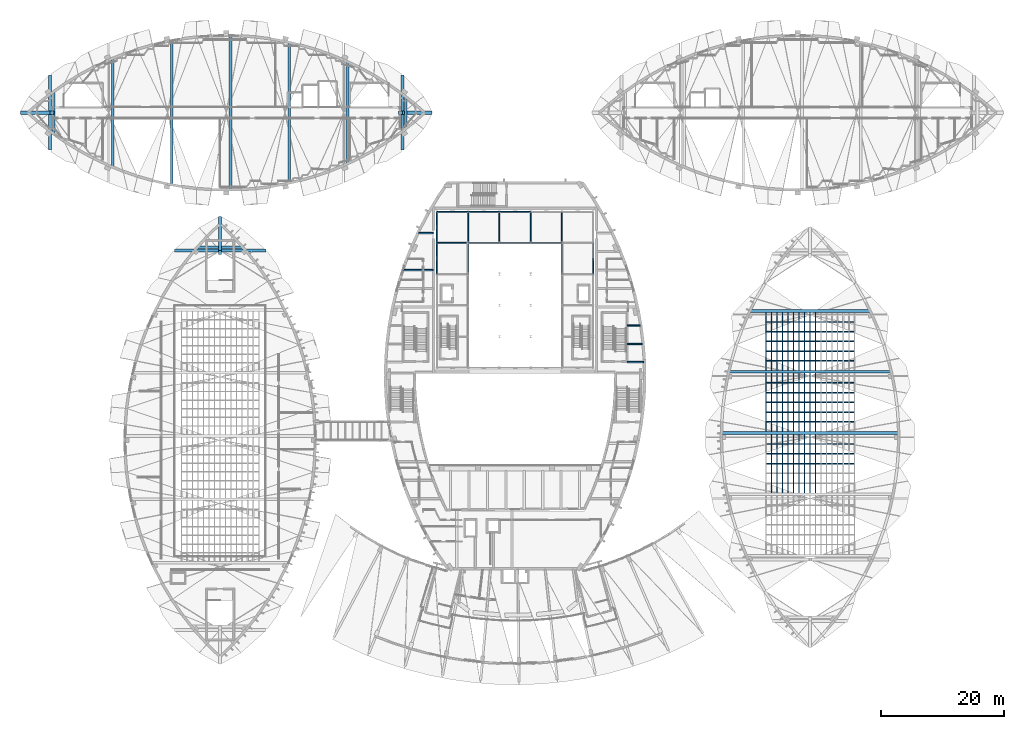
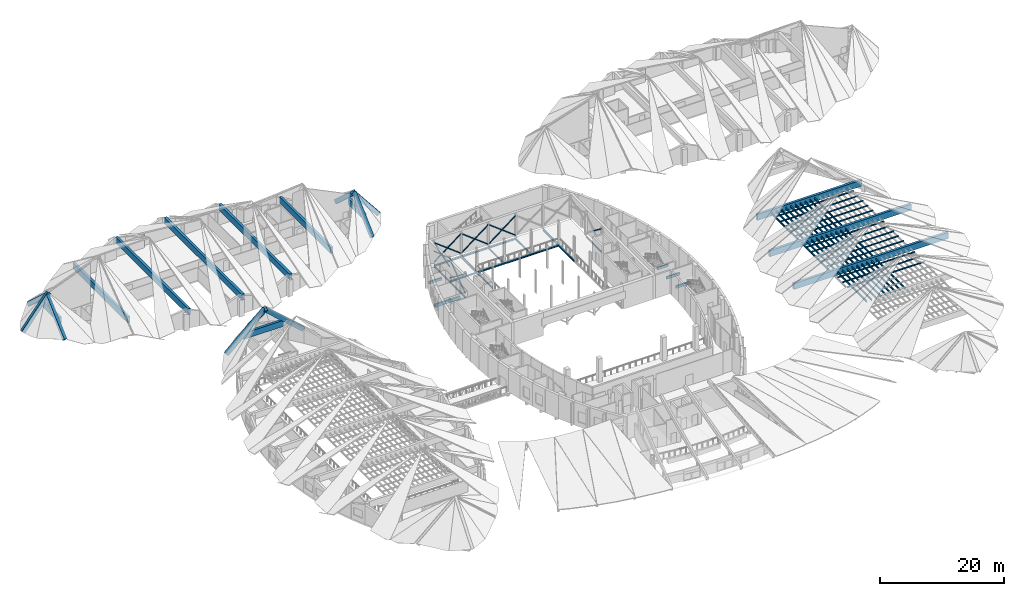
# One storey, part 19 of 56: 83 beams, 16 members.
"""IFC4 building model written with IfcOpenShell, lengths in metres."""

import ifcopenshell
import ifcopenshell.guid

model = None  # the IFC model being written
_history = None  # IfcOwnerHistory: only IFC2X3 demands one
_inside = {}  # id of a spatial element -> (the spatial element, [elements in it])
_under = {}  # id of a project, library or spatial element -> (it, [spatial elements below it])
_declared = {}  # id of a project -> (the project, [libraries it declares])
_typed = {}  # id of a type object -> (the type object, [elements of that type])
_made_of = {}  # id of a material, layer set ... -> (it, [elements and type objects made of it])


def new_model(schema):
    """Start an empty IFC model of exactly this schema.

    Asked for "IFC4X3", IfcOpenShell would pick the latest addendum, in which some entities
    have other attributes; the version numbers below select the first issue.
    IFC2X3 requires an IfcOwnerHistory on every rooted entity: one is made here for all.
    """
    global model, _history
    if schema == "IFC4X3":
        model = ifcopenshell.file(schema_version=(4, 3, 0, 0))
    else:
        model = ifcopenshell.file(schema=schema)
    _inside.clear()
    _under.clear()
    _declared.clear()
    _typed.clear()
    _made_of.clear()
    _history = None
    if model.schema == "IFC2X3":
        org = make("IfcOrganization", Name="unknown")
        user = make(
            "IfcPersonAndOrganization",
            ThePerson=make("IfcPerson", FamilyName="unknown"),
            TheOrganization=org,
        )
        app = make(
            "IfcApplication",
            ApplicationDeveloper=org,
            Version="unknown",
            ApplicationFullName="unknown",
            ApplicationIdentifier="unknown",
        )
        _history = make(
            "IfcOwnerHistory",
            OwningUser=user,
            OwningApplication=app,
            ChangeAction="ADDED",
            CreationDate=0,
        )
    return model


def make(cls, **values):
    """One entity of the class cls with the attributes given. An attribute that is None is left unset."""
    return model.create_entity(
        cls, **{name: value for name, value in values.items() if value is not None}
    )


def rooted(cls, **values):
    """An entity with a GlobalId (a new one), such as an element, a storey or a relation."""
    return make(cls, GlobalId=ifcopenshell.guid.new(), OwnerHistory=_history, **values)


def si_unit(unit_type, name, prefix=None):
    """IfcSIUnit, for example si_unit("LENGTHUNIT", "METRE", prefix="MILLI")."""
    return make("IfcSIUnit", UnitType=unit_type, Prefix=prefix, Name=name)


def assignment(units):
    """IfcUnitAssignment: the units of a project."""
    return None if units is None else make("IfcUnitAssignment", Units=units)


def point(xyz):
    """IfcCartesianPoint."""
    return None if xyz is None else make("IfcCartesianPoint", Coordinates=xyz)


def direction(xyz):
    """IfcDirection."""
    return None if xyz is None else make("IfcDirection", DirectionRatios=xyz)


def frame(location, z_axis=None, x_axis=None):
    """IfcAxis2Placement3D, a coordinate frame: its origin and axes. An axis left out is left unset."""
    return make(
        "IfcAxis2Placement3D",
        Location=point(location),
        Axis=direction(z_axis),
        RefDirection=direction(x_axis),
    )


def frame_2d(location, x_axis=None):
    """IfcAxis2Placement2D, a coordinate frame in the plane: its origin and x axis."""
    return make(
        "IfcAxis2Placement2D", Location=point(location), RefDirection=direction(x_axis)
    )


def origin():
    """The frame at (0, 0, 0) with its axes left unset."""
    return frame((0.0, 0.0, 0.0))


def origin_2d():
    """The frame at (0, 0) in the plane with its x axis left unset."""
    return frame_2d((0.0, 0.0))


def place(relative_to, where):
    """IfcLocalPlacement: puts the frame where relative to a parent placement (None: the world)."""
    return make(
        "IfcLocalPlacement", PlacementRelTo=relative_to, RelativePlacement=where
    )


def context(
    kind, dimensions, precision=None, world=None, true_north=None, identifier=None
):
    """IfcGeometricRepresentationContext, for example the 3D "Model" context."""
    return make(
        "IfcGeometricRepresentationContext",
        ContextIdentifier=identifier,
        ContextType=kind,
        CoordinateSpaceDimension=dimensions,
        Precision=precision,
        WorldCoordinateSystem=world,
        TrueNorth=true_north,
    )


def subcontext(parent, identifier, kind, view, scale=None):
    """IfcGeometricRepresentationSubContext, for example "Body" below "Model"."""
    return make(
        "IfcGeometricRepresentationSubContext",
        ContextIdentifier=identifier,
        ContextType=kind,
        ParentContext=parent,
        TargetScale=scale,
        TargetView=view,
    )


def project(units=None, contexts=None):
    """IfcProject with its units and contexts."""
    return rooted(
        "IfcProject",
        Name="project",
        RepresentationContexts=contexts,
        UnitsInContext=assignment(units),
    )


def spatial(cls, under=None, at=None, **own):
    """A site, building, storey or space (cls), placed at a placement, below another one or the project."""
    s = rooted(cls, ObjectPlacement=at, **own)
    if under is not None:
        _under.setdefault(under.id(), (under, []))[1].append(s)
    return s


def profile(cls, at=None, kind="AREA", **sizes):
    """A parametric profile (cls). Its sizes go by their IFC names, for example OverallWidth=200.0."""
    return make(cls, ProfileType=kind, Position=at, **sizes)


def rectangle(**sizes):
    """IfcRectangleProfileDef."""
    return profile("IfcRectangleProfileDef", **sizes)


def hollow_circle(**sizes):
    """IfcCircleHollowProfileDef."""
    return profile("IfcCircleHollowProfileDef", **sizes)


def i_section(**sizes):
    """IfcIShapeProfileDef."""
    return profile("IfcIShapeProfileDef", **sizes)


def extrude(swept, where, along, depth):
    """IfcExtrudedAreaSolid: the profile swept, set in the frame where, extruded along a direction by depth."""
    return make(
        "IfcExtrudedAreaSolid",
        SweptArea=swept,
        Position=where,
        ExtrudedDirection=direction(along),
        Depth=depth,
    )


def shape(context_of_items, identifier, shape_type, items):
    """IfcShapeRepresentation: the items that make up one representation, for example the "Body"."""
    return make(
        "IfcShapeRepresentation",
        ContextOfItems=context_of_items,
        RepresentationIdentifier=identifier,
        RepresentationType=shape_type,
        Items=items,
    )


def material(Name=None, Category=None):
    """IfcMaterial."""
    return make("IfcMaterial", Name=Name, Category=Category)


def material_profile(
    of_material, cross_section, Name=None, Category=None, Priority=None
):
    """IfcMaterialProfile: a cross section and its material."""
    return make(
        "IfcMaterialProfile",
        Name=Name,
        Material=of_material,
        Profile=cross_section,
        Priority=Priority,
        Category=Category,
    )


def profile_set(profiles, Name=None, composite=None):
    """IfcMaterialProfileSet."""
    return make(
        "IfcMaterialProfileSet",
        Name=Name,
        MaterialProfiles=profiles,
        CompositeProfile=composite,
    )


def made_of(thing, what):
    """Note that an element or type object is made of a material, layer set ...; save() writes the relation."""
    if what is not None:
        _made_of.setdefault(what.id(), (what, []))[1].append(thing)
    return thing


def type_object(cls, material=None, **own):
    """A type object (cls), such as IfcWallType, which elements share."""
    return made_of(rooted(cls, **own), material)


def element(
    cls,
    number,
    at=None,
    inside=None,
    cuts=None,
    type_object=None,
    material=None,
    context=None,
    identifier="Body",
    shape_type=None,
    held_by="IfcProductDefinitionShape",
    body=None,
    shapes=None,
    **own,
):
    """One element of the class cls, such as IfcWall. Its Tag is "e" and its number.

    at: its placement. inside: the storey or other place that contains it. cuts: it is an
    opening in that element (IfcRelVoidsElement). A single representation is given by context,
    identifier, shape_type and body (its items); several are given by shapes. held_by: the class
    of the entity that holds the representations. save() writes the other relations.
    """
    e = rooted(cls, Tag="e%d" % number, ObjectPlacement=at, **own)
    if body is not None:
        shapes = [shape(context, identifier, shape_type, body)]
    if shapes is not None:
        e.Representation = make(held_by, Representations=shapes)
    if inside is not None:
        _inside.setdefault(inside.id(), (inside, []))[1].append(e)
    if cuts is not None:
        rooted(
            "IfcRelVoidsElement", RelatingBuildingElement=cuts, RelatedOpeningElement=e
        )
    if type_object is not None:
        _typed.setdefault(type_object.id(), (type_object, []))[1].append(e)
    return made_of(e, material)


def aggregate(whole, parts):
    """IfcRelAggregates: a whole, such as a stair, and the parts it consists of."""
    return rooted("IfcRelAggregates", RelatingObject=whole, RelatedObjects=parts)


def save(model, path):
    """Write the relations noted so far, then the file.

    IfcRelAggregates (storeys below a building ...), IfcRelContainedInSpatialStructure (elements
    in a storey), IfcRelDefinesByType, IfcRelAssociatesMaterial and IfcRelDeclares: one each for
    every whole, place, type object, material and project.
    """
    for whole, parts in _under.values():
        aggregate(whole, parts)
    for where, things in _inside.values():
        rooted(
            "IfcRelContainedInSpatialStructure",
            RelatedElements=things,
            RelatingStructure=where,
        )
    for kind, things in _typed.values():
        rooted("IfcRelDefinesByType", RelatedObjects=things, RelatingType=kind)
    for what, things in _made_of.values():
        rooted("IfcRelAssociatesMaterial", RelatedObjects=things, RelatingMaterial=what)
    for by, libraries in _declared.values():
        rooted("IfcRelDeclares", RelatingContext=by, RelatedDefinitions=libraries)
    model.write(path)


model = new_model("IFC4")

# Units and contexts
model_context = context("Model", 3, precision=1e-05, world=origin(), true_north=direction((0.0, 1.0)))
body_context = subcontext(model_context, "Body", "Model", "MODEL_VIEW")
ifc_project = project(units=[si_unit("LENGTHUNIT", "METRE"), si_unit("AREAUNIT", "SQUARE_METRE"), si_unit("VOLUMEUNIT", "CUBIC_METRE"), si_unit("PLANEANGLEUNIT", "RADIAN"), si_unit("MASSUNIT", "GRAM", prefix="KILO")], contexts=[model_context])

# Site, building, storey
site_placement = place(None, origin())
site = spatial("IfcSite", under=ifc_project, at=site_placement, CompositionType="ELEMENT")
building_placement = place(site_placement, origin())
building = spatial("IfcBuilding", under=site, at=building_placement, Name="Tide Square Theatres", CompositionType="ELEMENT")
storey_placement = place(building_placement, frame((0.0, 0.0, 10.199951171875)))
storey = spatial("IfcBuildingStorey", under=building, at=storey_placement, Name="L02", CompositionType="ELEMENT", Elevation=10.199951171875)

# Beams
ifc_material_1 = material(Name="Concrete C35", Category="concrete")
ifc_material_profile_1 = material_profile(ifc_material_1, rectangle(XDim=0.25, YDim=0.5, at=origin_2d()))
ifc_profile_set_1 = profile_set([ifc_material_profile_1], Name="Concrete C35")
beam_type_1 = type_object("IfcBeamType", Name="RC beam 250 x 500", PredefinedType="BEAM", material=ifc_profile_set_1)
beam_1_placement = place(storey_placement, frame((68.314697265625, 78.199951171875, -0.5), z_axis=(1.0, 0.0, 0.0), x_axis=(0.0, 1.0, 0.0)))
element("IfcBeam", 1, at=beam_1_placement, inside=storey, type_object=beam_type_1, Name="Floor beam", PredefinedType="BEAM", context=body_context, shape_type="SweptSolid", body=[
    extrude(rectangle(XDim=0.25, YDim=0.5, at=origin_2d()), origin(), (0.0, 0.0, 1.0), 2.335205078125),
])
beam_2_placement = place(storey_placement, frame((102.25, 57.199951171875, -0.5), z_axis=(1.0, 0.0, 0.0), x_axis=(0.0, 1.0, 0.0)))
element("IfcBeam", 2, at=beam_2_placement, inside=storey, type_object=beam_type_1, Name="Floor beam", PredefinedType="BEAM", context=body_context, shape_type="SweptSolid", body=[
    extrude(rectangle(XDim=0.25, YDim=0.5, at=origin_2d()), origin(), (0.0, 0.0, 1.0), 2.680908203125),
])
beam_3_placement = place(storey_placement, frame((102.25, 60.199951171875, -0.5), z_axis=(1.0, 0.0, 0.0), x_axis=(0.0, 1.0, 0.0)))
element("IfcBeam", 3, at=beam_3_placement, inside=storey, type_object=beam_type_1, Name="Floor beam", PredefinedType="BEAM", context=body_context, shape_type="SweptSolid", body=[
    extrude(rectangle(XDim=0.25, YDim=0.5, at=origin_2d()), origin(), (0.0, 0.0, 1.0), 2.48046875),
])
beam_4_placement = place(storey_placement, frame((102.25, 63.199951171875, -0.5), z_axis=(1.0, 0.0, 0.0), x_axis=(0.0, 1.0, 0.0)))
element("IfcBeam", 4, at=beam_4_placement, inside=storey, type_object=beam_type_1, Name="Floor beam", PredefinedType="BEAM", context=body_context, shape_type="SweptSolid", body=[
    extrude(rectangle(XDim=0.25, YDim=0.5, at=origin_2d()), origin(), (0.0, 0.0, 1.0), 2.095947265625),
])
ifc_material_2 = material(Name="Concrete C35", Category="concrete")
ifc_material_profile_2 = material_profile(ifc_material_2, rectangle(XDim=0.300048828125, YDim=0.60009765625, at=origin_2d()))
ifc_profile_set_2 = profile_set([ifc_material_profile_2], Name="Concrete C35")
beam_type_2 = type_object("IfcBeamType", Name="RC beam 300 x 600", PredefinedType="BEAM", material=ifc_profile_set_2)
beam_5_placement = place(storey_placement, frame((65.870849609375, 72.199951171875, -0.550048828125), z_axis=(1.0, 0.0, 0.0), x_axis=(0.0, 1.0, 0.0)))
element("IfcBeam", 5, at=beam_5_placement, inside=storey, type_object=beam_type_2, Name="Floor beam", PredefinedType="BEAM", context=body_context, shape_type="SweptSolid", body=[
    extrude(rectangle(XDim=0.300048828125, YDim=0.60009765625, at=origin_2d()), origin(), (0.0, 0.0, 1.0), 4.779052734375),
])
ifc_material_3 = material(Name="Concrete C40", Category="concrete")
ifc_material_profile_3 = material_profile(ifc_material_3, rectangle(XDim=0.449951171875, YDim=1.199951171875, at=origin_2d()))
ifc_profile_set_3 = profile_set([ifc_material_profile_3], Name="Concrete C40")
beam_type_3 = type_object("IfcBeamType", Name="RC eaves tie beam 450 x 1200", PredefinedType="BEAM", material=ifc_profile_set_3)
beam_6_placement = place(storey_placement, frame((39.7177734375, 75.89013671875, 3.03857421875), z_axis=(-1.0, 0.0, 0.0), x_axis=(0.0, -1.0, 0.0)))
element("IfcBeam", 6, at=beam_6_placement, inside=storey, type_object=beam_type_3, Name="Eaves tie beam studio 6", PredefinedType="BEAM", context=body_context, shape_type="SweptSolid", body=[
    extrude(rectangle(XDim=0.449951171875, YDim=1.199951171875, at=origin_2d()), origin(), (0.0, 0.0, 1.0), 7.435546875),
])
beam_7_placement = place(storey_placement, frame((146.40869140625, 45.69970703125, 1.314453125), z_axis=(-1.0, 0.0, 0.0), x_axis=(0.0, -1.0, 0.0)))
element("IfcBeam", 7, at=beam_7_placement, inside=storey, type_object=beam_type_3, Name="Eaves tie beam blackbox 3", PredefinedType="BEAM", context=body_context, shape_type="SweptSolid", body=[
    extrude(rectangle(XDim=0.449951171875, YDim=1.199951171875, at=origin_2d()), origin(), (0.0, 0.0, 1.0), 28.8173828125),
])
beam_8_placement = place(storey_placement, frame((145.213623046875, 55.638671875, 1.312744140625), z_axis=(-1.0, 0.0, 0.0), x_axis=(0.0, -1.0, 0.0)))
element("IfcBeam", 8, at=beam_8_placement, inside=storey, type_object=beam_type_3, Name="Eaves tie beam blackbox 4", PredefinedType="BEAM", context=body_context, shape_type="SweptSolid", body=[
    extrude(rectangle(XDim=0.449951171875, YDim=1.199951171875, at=origin_2d()), origin(), (0.0, 0.0, 1.0), 26.42724609375),
])
beam_9_placement = place(storey_placement, frame((141.769287109375, 65.54345703125, 1.296630859375), z_axis=(-1.0, 0.0, 0.0), x_axis=(0.0, -1.0, 0.0)))
element("IfcBeam", 9, at=beam_9_placement, inside=storey, type_object=beam_type_3, Name="Eaves tie beam blackbox 5", PredefinedType="BEAM", context=body_context, shape_type="SweptSolid", body=[
    extrude(rectangle(XDim=0.449951171875, YDim=1.199951171875, at=origin_2d()), origin(), (0.0, 0.0, 1.0), 19.53857421875),
])
beam_10_placement = place(storey_placement, frame((8.8916015625, 94.387939453125, 3.09814453125), z_axis=(0.0, 1.0, 0.0), x_axis=(-1.0, 0.0, 0.0)))
element("IfcBeam", 10, at=beam_10_placement, inside=storey, type_object=beam_type_3, Name="Eaves tie beam workshops 0", PredefinedType="BEAM", context=body_context, shape_type="SweptSolid", body=[
    extrude(rectangle(XDim=0.449951171875, YDim=1.199951171875, at=origin_2d()), origin(), (0.0, 0.0, 1.0), 6.82421875),
])
beam_11_placement = place(storey_placement, frame((18.529052734375, 88.958740234375, 3.0986328125), z_axis=(0.0, 1.0, 0.0), x_axis=(-1.0, 0.0, 0.0)))
element("IfcBeam", 11, at=beam_11_placement, inside=storey, type_object=beam_type_3, Name="Eaves tie beam workshops 1", PredefinedType="BEAM", context=body_context, shape_type="SweptSolid", body=[
    extrude(rectangle(XDim=0.449951171875, YDim=1.199951171875, at=origin_2d()), origin(), (0.0, 0.0, 1.0), 17.6826171875),
])
beam_12_placement = place(storey_placement, frame((28.12939453125, 86.07421875, 3.1005859375), z_axis=(0.0, 1.0, 0.0), x_axis=(-1.0, 0.0, 0.0)))
element("IfcBeam", 12, at=beam_12_placement, inside=storey, type_object=beam_type_3, Name="Eaves tie beam workshops 2", PredefinedType="BEAM", context=body_context, shape_type="SweptSolid", body=[
    extrude(rectangle(XDim=0.449951171875, YDim=1.199951171875, at=origin_2d()), origin(), (0.0, 0.0, 1.0), 23.451416015625),
])
beam_13_placement = place(storey_placement, frame((37.69970703125, 85.248779296875, 3.096435546875), z_axis=(0.0, 1.0, 0.0), x_axis=(-1.0, 0.0, 0.0)))
element("IfcBeam", 13, at=beam_13_placement, inside=storey, type_object=beam_type_3, Name="Eaves tie beam workshops 3", PredefinedType="BEAM", context=body_context, shape_type="SweptSolid", body=[
    extrude(rectangle(XDim=0.449951171875, YDim=1.199951171875, at=origin_2d()), origin(), (0.0, 0.0, 1.0), 25.102294921875),
])
beam_14_placement = place(storey_placement, frame((47.24169921875, 86.35498046875, 3.091552734375), z_axis=(0.0, 1.0, 0.0), x_axis=(-1.0, 0.0, 0.0)))
element("IfcBeam", 14, at=beam_14_placement, inside=storey, type_object=beam_type_3, Name="Eaves tie beam workshops 4", PredefinedType="BEAM", context=body_context, shape_type="SweptSolid", body=[
    extrude(rectangle(XDim=0.449951171875, YDim=1.199951171875, at=origin_2d()), origin(), (0.0, 0.0, 1.0), 22.89013671875),
])
beam_15_placement = place(storey_placement, frame((56.7529296875, 89.520263671875, 3.067626953125), z_axis=(0.0, 1.0, 0.0), x_axis=(-1.0, 0.0, 0.0)))
element("IfcBeam", 15, at=beam_15_placement, inside=storey, type_object=beam_type_3, Name="Eaves tie beam workshops 5", PredefinedType="BEAM", context=body_context, shape_type="SweptSolid", body=[
    extrude(rectangle(XDim=0.449951171875, YDim=1.199951171875, at=origin_2d()), origin(), (0.0, 0.0, 1.0), 16.559326171875),
])
beam_16_placement = place(storey_placement, frame((66.229248046875, 95.225830078125, 2.98486328125), z_axis=(0.0, 1.0, 0.0), x_axis=(-1.0, 0.0, 0.0)))
element("IfcBeam", 16, at=beam_16_placement, inside=storey, type_object=beam_type_3, Name="Eaves tie beam workshops 6", PredefinedType="BEAM", context=body_context, shape_type="SweptSolid", body=[
    extrude(rectangle(XDim=0.449951171875, YDim=1.199951171875, at=origin_2d()), origin(), (0.0, 0.0, 1.0), 5.1484375),
])
ifc_material_4 = material(Name="Concrete C40", Category="concrete")
ifc_material_profile_4 = material_profile(ifc_material_4, rectangle(XDim=0.5, YDim=0.800048828125, at=origin_2d()))
ifc_profile_set_4 = profile_set([ifc_material_profile_4], Name="Concrete C40")
beam_type_4 = type_object("IfcBeamType", Name="RC roof rib 500 x 800", PredefinedType="BEAM", material=ifc_profile_set_4)
for number, where, z_axis, x_axis, name in (
    (17, (43.177001953125, 75.37060546875, 0.948974609375), (-0.746077299514, 0.0, 0.665859341866), (0.0, -1.0, 0.0), "Roof rib studio R6"),
    (18, (28.822998046875, 75.37060546875, 0.948974609375), (0.746077299514, 0.0, 0.665859341866), (0.0, 1.0, 0.0), "Roof rib studio L6"),
):
    element("IfcBeam", number, at=place(storey_placement, frame(where, z_axis=z_axis, x_axis=x_axis)), inside=storey, type_object=beam_type_4, Name=name, PredefinedType="BEAM", context=body_context, shape_type="SweptSolid", body=[
        extrude(rectangle(XDim=0.5, YDim=0.800048828125, at=origin_2d()), origin(), (0.0, 0.0, 1.0), 9.708740234375),
    ])
for number, where, z_axis, x_axis, name in (
    (19, (8.31982421875, 91.964599609375, 0.92333984375), (0.0, 0.739686764471, 0.672951328453), (-1.0, 0.0, 0.0), "Roof rib workshops R0"),
    (20, (65.68017578125, 91.964599609375, 1.0537109375), (0.0, 0.739701988752, 0.672934594026), (-1.0, 0.0, 0.0), "Roof rib workshops R6"),
):
    element("IfcBeam", number, at=place(storey_placement, frame(where, z_axis=z_axis, x_axis=x_axis)), inside=storey, type_object=beam_type_4, Name=name, PredefinedType="BEAM", context=body_context, shape_type="SweptSolid", body=[
        extrude(rectangle(XDim=0.5, YDim=0.800048828125, at=origin_2d()), origin(), (0.0, 0.0, 1.0), 7.982421875),
    ])
beam_17_placement = place(storey_placement, frame((8.31982421875, 103.635498046875, 0.92333984375), z_axis=(0.0, -0.739700614616, 0.672936104498), x_axis=(1.0, 0.0, 0.0)))
element("IfcBeam", 21, at=beam_17_placement, inside=storey, type_object=beam_type_4, Name="Roof rib workshops L0", PredefinedType="BEAM", context=body_context, shape_type="SweptSolid", body=[
    extrude(rectangle(XDim=0.5, YDim=0.800048828125, at=origin_2d()), origin(), (0.0, 0.0, 1.0), 7.982666015625),
])
beam_18_placement = place(storey_placement, frame((65.68017578125, 103.635498046875, 1.0537109375), z_axis=(0.0, -0.739715838493, 0.672919369823), x_axis=(1.0, 0.0, 0.0)))
element("IfcBeam", 22, at=beam_18_placement, inside=storey, type_object=beam_type_4, Name="Roof rib workshops L6", PredefinedType="BEAM", context=body_context, shape_type="SweptSolid", body=[
    extrude(rectangle(XDim=0.5, YDim=0.800048828125, at=origin_2d()), origin(), (0.0, 0.0, 1.0), 7.982421875),
])
ifc_material_5 = material(Name="Concrete C40", Category="concrete")
ifc_material_profile_5 = material_profile(ifc_material_5, rectangle(XDim=0.5, YDim=0.800048828125, at=origin_2d()))
ifc_profile_set_5 = profile_set([ifc_material_profile_5], Name="Concrete C40")
beam_type_5 = type_object("IfcBeamType", Name="RC roof ridge beam 500 x 800", PredefinedType="BEAM", material=ifc_profile_set_5)
beam_19_placement = place(storey_placement, frame((36.0, 75.05615234375, 7.6142578125), z_axis=(0.0, 0.617814351068, -0.786323996591), x_axis=(-1.0, 0.0, 0.0)))
element("IfcBeam", 23, at=beam_19_placement, inside=storey, type_object=beam_type_5, Name="Hip beam studio", PredefinedType="BEAM", context=body_context, shape_type="SweptSolid", body=[
    extrude(rectangle(XDim=0.5, YDim=0.800048828125, at=origin_2d()), origin(), (0.0, 0.0, 1.0), 8.984130859375),
])
for number, where, z_axis, x_axis, name in (
    (24, (8.632568359375, 97.800048828125, 6.609375), (-0.623341681974, 0.0, -0.781949581184), (0.0, -1.0, 0.0), "Hip beam workshops"),
    (25, (65.367431640625, 97.800048828125, 6.609375), (0.623341681974, 0.0, -0.781949581184), (0.0, 1.0, 0.0), "Hip beam workshops"),
):
    element("IfcBeam", number, at=place(storey_placement, frame(where, z_axis=z_axis, x_axis=x_axis)), inside=storey, type_object=beam_type_5, Name=name, PredefinedType="BEAM", context=body_context, shape_type="SweptSolid", body=[
        extrude(rectangle(XDim=0.5, YDim=0.800048828125, at=origin_2d()), origin(), (0.0, 0.0, 1.0), 7.72705078125),
    ])
ifc_material_6 = material(Name="Steel ASTM A572 Grade 50", Category="steel")
ifc_material_profile_6 = material_profile(ifc_material_6, i_section(OverallWidth=0.1650390625, OverallDepth=0.31005859375, WebThickness=0.005859375, FlangeThickness=0.009765625, FilletRadius=0.010009765625, at=origin_2d()))
ifc_profile_set_6 = profile_set([ifc_material_profile_6], Name="Steel ASTM A572 Grade 50")
beam_type_6 = type_object("IfcBeamType", Name="Steel beam W 310 x 38.7", PredefinedType="BEAM", material=ifc_profile_set_6)
for number, where, z_axis, x_axis, name in (
    (26, (71.27587890625, 71.544921875, -0.35498046875), (0.0, 1.0, 0.0), (-1.0, 0.0, 0.0), "Fly gallery beam"),
    (27, (71.27587890625, 76.634521484375, -0.35498046875), (0.0, 1.0, 0.0), (-1.0, 0.0, 0.0), "Fly gallery beam"),
    (28, (76.365478515625, 71.544921875, -0.35498046875), (0.0, 1.0, 0.0), (-1.0, 0.0, 0.0), "Fly gallery beam"),
    (29, (76.365478515625, 76.634521484375, -0.35498046875), (0.0, 1.0, 0.0), (-1.0, 0.0, 0.0), "Fly gallery beam"),
    (30, (71.27587890625, 76.634521484375, -0.35498046875), (1.0, 0.0, 0.0), (0.0, 1.0, 0.0), "Fly gallery cross beam"),
    (31, (71.27587890625, 81.72412109375, -0.35498046875), (1.0, 0.0, 0.0), (0.0, 1.0, 0.0), "Fly gallery cross beam"),
    (32, (91.634521484375, 71.544921875, -0.35498046875), (0.0, 1.0, 0.0), (-1.0, 0.0, 0.0), "Fly gallery beam"),
    (33, (91.634521484375, 76.634521484375, -0.35498046875), (0.0, 1.0, 0.0), (-1.0, 0.0, 0.0), "Fly gallery beam"),
    (34, (96.72412109375, 71.544921875, -0.35498046875), (0.0, 1.0, 0.0), (-1.0, 0.0, 0.0), "Fly gallery beam"),
    (35, (76.365478515625, 76.634521484375, -0.35498046875), (1.0, 0.0, 0.0), (0.0, 1.0, 0.0), "Fly gallery beam"),
):
    element("IfcBeam", number, at=place(storey_placement, frame(where, z_axis=z_axis, x_axis=x_axis)), inside=storey, type_object=beam_type_6, Name=name, PredefinedType="BEAM", context=body_context, shape_type="SweptSolid", body=[
        extrude(i_section(OverallWidth=0.1650390625, OverallDepth=0.31005859375, WebThickness=0.005859375, FlangeThickness=0.009765625, FilletRadius=0.010009765625, at=origin_2d()), origin(), (0.0, 0.0, 1.0), 5.089599609375),
    ])
beam_20_placement = place(storey_placement, frame((81.455078125, 76.634521484375, -0.35498046875), z_axis=(1.0, 0.0, 0.0), x_axis=(0.0, 1.0, 0.0)))
element("IfcBeam", 36, at=beam_20_placement, inside=storey, type_object=beam_type_6, Name="Fly gallery beam", PredefinedType="BEAM", context=body_context, shape_type="SweptSolid", body=[
    extrude(i_section(OverallWidth=0.1650390625, OverallDepth=0.31005859375, WebThickness=0.005859375, FlangeThickness=0.009765625, FilletRadius=0.010009765625, at=origin_2d()), origin(), (0.0, 0.0, 1.0), 5.08984375),
])
for number, where, z_axis, x_axis, name in (
    (37, (86.544921875, 76.634521484375, -0.35498046875), (1.0, 0.0, 0.0), (0.0, 1.0, 0.0), "Fly gallery beam"),
    (38, (76.365478515625, 81.72412109375, -0.35498046875), (1.0, 0.0, 0.0), (0.0, 1.0, 0.0), "Fly gallery beam"),
):
    element("IfcBeam", number, at=place(storey_placement, frame(where, z_axis=z_axis, x_axis=x_axis)), inside=storey, type_object=beam_type_6, Name=name, PredefinedType="BEAM", context=body_context, shape_type="SweptSolid", body=[
        extrude(i_section(OverallWidth=0.1650390625, OverallDepth=0.31005859375, WebThickness=0.005859375, FlangeThickness=0.009765625, FilletRadius=0.010009765625, at=origin_2d()), origin(), (0.0, 0.0, 1.0), 5.089599609375),
    ])
beam_21_placement = place(storey_placement, frame((81.455078125, 81.72412109375, -0.35498046875), z_axis=(1.0, 0.0, 0.0), x_axis=(0.0, 1.0, 0.0)))
element("IfcBeam", 39, at=beam_21_placement, inside=storey, type_object=beam_type_6, Name="Fly gallery beam", PredefinedType="BEAM", context=body_context, shape_type="SweptSolid", body=[
    extrude(i_section(OverallWidth=0.1650390625, OverallDepth=0.31005859375, WebThickness=0.005859375, FlangeThickness=0.009765625, FilletRadius=0.010009765625, at=origin_2d()), origin(), (0.0, 0.0, 1.0), 5.08984375),
])
for number, where, z_axis, x_axis, name in (
    (40, (81.455078125, 76.634521484375, -0.35498046875), (0.0, 1.0, 0.0), (-1.0, 0.0, 0.0), "Fly gallery cross beam"),
    (41, (86.544921875, 76.634521484375, -0.35498046875), (0.0, 1.0, 0.0), (-1.0, 0.0, 0.0), "Fly gallery cross beam"),
):
    element("IfcBeam", number, at=place(storey_placement, frame(where, z_axis=z_axis, x_axis=x_axis)), inside=storey, type_object=beam_type_6, Name=name, PredefinedType="BEAM", context=body_context, shape_type="SweptSolid", body=[
        extrude(i_section(OverallWidth=0.1650390625, OverallDepth=0.31005859375, WebThickness=0.005859375, FlangeThickness=0.009765625, FilletRadius=0.010009765625, at=origin_2d()), origin(), (0.0, 0.0, 1.0), 5.089599609375),
    ])
ifc_material_7 = material(Name="Steel ASTM A572 Grade 50", Category="steel")
ifc_material_profile_7 = material_profile(ifc_material_7, i_section(OverallWidth=0.1708984375, OverallDepth=0.35498046875, WebThickness=0.007080078125, FlangeThickness=0.01171875, FilletRadius=0.011962890625, at=origin_2d()))
ifc_profile_set_7 = profile_set([ifc_material_profile_7], Name="Steel ASTM A572 Grade 50")
beam_type_7 = type_object("IfcBeamType", Name="Steel beam W 360 x 51.0", PredefinedType="BEAM", material=ifc_profile_set_7)
for number, where, z_axis, x_axis, name in (
    (42, (132.89990234375, 35.955078125, 1.316650390625), (0.0, 1.0, 0.0), (-1.0, 0.0, 0.0), "Black Box Theatre rigging grid girder"),
    (43, (132.0, 35.955078125, 1.316650390625), (0.0, 1.0, 0.0), (-1.0, 0.0, 0.0), "Black Box Theatre rigging grid girder"),
    (44, (131.10009765625, 35.955078125, 1.316650390625), (0.0, 1.0, 0.0), (-1.0, 0.0, 0.0), "Black Box Theatre rigging grid girder"),
    (45, (130.199951171875, 35.955078125, 1.316650390625), (0.0, 1.0, 0.0), (-1.0, 0.0, 0.0), "Black Box Theatre rigging grid girder"),
    (46, (129.300048828125, 35.955078125, 1.316650390625), (0.0, 1.0, 0.0), (-1.0, 0.0, 0.0), "Black Box Theatre rigging grid girder"),
    (47, (128.39990234375, 35.955078125, 1.316650390625), (0.0, 1.0, 0.0), (-1.0, 0.0, 0.0), "Black Box Theatre rigging grid girder"),
    (48, (127.5, 35.955078125, 1.316650390625), (0.0, 1.0, 0.0), (-1.0, 0.0, 0.0), "Black Box Theatre rigging grid girder"),
    (49, (126.60009765625, 35.955078125, 1.316650390625), (0.0, 1.0, 0.0), (-1.0, 0.0, 0.0), "Black Box Theatre rigging grid girder"),
    (50, (125.699951171875, 35.955078125, 1.316650390625), (0.0, 1.0, 0.0), (-1.0, 0.0, 0.0), "Black Box Theatre rigging grid girder"),
):
    element("IfcBeam", number, at=place(storey_placement, frame(where, z_axis=z_axis, x_axis=x_axis)), inside=storey, type_object=beam_type_7, Name=name, PredefinedType="BEAM", context=body_context, shape_type="SweptSolid", body=[
        extrude(i_section(OverallWidth=0.1708984375, OverallDepth=0.35498046875, WebThickness=0.007080078125, FlangeThickness=0.01171875, FilletRadius=0.011962890625, at=origin_2d()), origin(), (0.0, 0.0, 1.0), 9.519775390625),
    ])
for number, where, z_axis, x_axis, name in (
    (51, (132.89990234375, 45.9248046875, 1.3134765625), (0.0, 1.0, 0.0), (-1.0, 0.0, 0.0), "Black Box Theatre rigging grid girder"),
    (52, (132.0, 45.9248046875, 1.3134765625), (0.0, 1.0, 0.0), (-1.0, 0.0, 0.0), "Black Box Theatre rigging grid girder"),
    (53, (131.10009765625, 45.9248046875, 1.3134765625), (0.0, 1.0, 0.0), (-1.0, 0.0, 0.0), "Black Box Theatre rigging grid girder"),
    (54, (130.199951171875, 45.9248046875, 1.3134765625), (0.0, 1.0, 0.0), (-1.0, 0.0, 0.0), "Black Box Theatre rigging grid girder"),
    (55, (129.300048828125, 45.9248046875, 1.3134765625), (0.0, 1.0, 0.0), (-1.0, 0.0, 0.0), "Black Box Theatre rigging grid girder"),
    (56, (128.39990234375, 45.9248046875, 1.3134765625), (0.0, 1.0, 0.0), (-1.0, 0.0, 0.0), "Black Box Theatre rigging grid girder"),
    (57, (127.5, 45.9248046875, 1.3134765625), (0.0, 1.0, 0.0), (-1.0, 0.0, 0.0), "Black Box Theatre rigging grid girder"),
    (58, (126.60009765625, 45.9248046875, 1.3134765625), (0.0, 1.0, 0.0), (-1.0, 0.0, 0.0), "Black Box Theatre rigging grid girder"),
    (59, (125.699951171875, 45.9248046875, 1.3134765625), (0.0, 1.0, 0.0), (-1.0, 0.0, 0.0), "Black Box Theatre rigging grid girder"),
    (60, (124.800048828125, 45.9248046875, 1.3134765625), (0.0, 1.0, 0.0), (-1.0, 0.0, 0.0), "Black Box Theatre rigging grid girder"),
):
    element("IfcBeam", number, at=place(storey_placement, frame(where, z_axis=z_axis, x_axis=x_axis)), inside=storey, type_object=beam_type_7, Name=name, PredefinedType="BEAM", context=body_context, shape_type="SweptSolid", body=[
        extrude(i_section(OverallWidth=0.1708984375, OverallDepth=0.35498046875, WebThickness=0.007080078125, FlangeThickness=0.01171875, FilletRadius=0.011962890625, at=origin_2d()), origin(), (0.0, 0.0, 1.0), 9.48876953125),
    ])
for number, where, z_axis, x_axis, name in (
    (61, (132.89990234375, 55.863525390625, 1.3046875), (0.0, 1.0, 0.0), (-1.0, 0.0, 0.0), "Black Box Theatre rigging grid girder"),
    (62, (132.0, 55.863525390625, 1.3046875), (0.0, 1.0, 0.0), (-1.0, 0.0, 0.0), "Black Box Theatre rigging grid girder"),
    (63, (131.10009765625, 55.863525390625, 1.3046875), (0.0, 1.0, 0.0), (-1.0, 0.0, 0.0), "Black Box Theatre rigging grid girder"),
    (64, (130.199951171875, 55.863525390625, 1.3046875), (0.0, 1.0, 0.0), (-1.0, 0.0, 0.0), "Black Box Theatre rigging grid girder"),
    (65, (129.300048828125, 55.863525390625, 1.3046875), (0.0, 1.0, 0.0), (-1.0, 0.0, 0.0), "Black Box Theatre rigging grid girder"),
    (66, (128.39990234375, 55.863525390625, 1.3046875), (0.0, 1.0, 0.0), (-1.0, 0.0, 0.0), "Black Box Theatre rigging grid girder"),
    (67, (127.5, 55.863525390625, 1.3046875), (0.0, 1.0, 0.0), (-1.0, 0.0, 0.0), "Black Box Theatre rigging grid girder"),
    (68, (126.60009765625, 55.863525390625, 1.3046875), (0.0, 1.0, 0.0), (-1.0, 0.0, 0.0), "Black Box Theatre rigging grid girder"),
    (69, (125.699951171875, 55.863525390625, 1.3046875), (0.0, 1.0, 0.0), (-1.0, 0.0, 0.0), "Black Box Theatre rigging grid girder"),
    (70, (124.800048828125, 55.863525390625, 1.3046875), (0.0, 1.0, 0.0), (-1.0, 0.0, 0.0), "Black Box Theatre rigging grid girder"),
):
    element("IfcBeam", number, at=place(storey_placement, frame(where, z_axis=z_axis, x_axis=x_axis)), inside=storey, type_object=beam_type_7, Name=name, PredefinedType="BEAM", context=body_context, shape_type="SweptSolid", body=[
        extrude(i_section(OverallWidth=0.1708984375, OverallDepth=0.35498046875, WebThickness=0.007080078125, FlangeThickness=0.01171875, FilletRadius=0.011962890625, at=origin_2d()), origin(), (0.0, 0.0, 1.0), 9.454833984375),
    ])

# Members
ifc_material_8 = material(Name="Steel ASTM A500 Grade C", Category="steel")
ifc_material_profile_8 = material_profile(ifc_material_8, hollow_circle(Radius=0.109619140625, WallThickness=0.010009765625, at=origin_2d()))
ifc_profile_set_8 = profile_set([ifc_material_profile_8], Name="Steel ASTM A500 Grade C")
member_type = type_object("IfcMemberType", Name="Steel brace CHS 219.1 x 10.0", PredefinedType="BRACE", material=ifc_profile_set_8)
member_1_placement = place(storey_placement, frame((71.27587890625, 81.72412109375, 0.35009765625), z_axis=(0.793766284219, 0.0, 0.60822289174), x_axis=(0.0, 1.0, 0.0)))
element("IfcMember", 71, at=member_1_placement, inside=storey, type_object=member_type, Name="Fly tower brace", PredefinedType="BRACE", context=body_context, shape_type="SweptSolid", body=[
    extrude(hollow_circle(Radius=0.109619140625, WallThickness=0.010009765625, at=origin_2d()), origin(), (0.0, 0.0, 1.0), 6.411865234375),
])
member_2_placement = place(storey_placement, frame((76.365478515625, 81.72412109375, 0.35009765625), z_axis=(-0.793780221985, 0.0, 0.608204701713), x_axis=(0.0, -1.0, 0.0)))
element("IfcMember", 72, at=member_2_placement, inside=storey, type_object=member_type, Name="Fly tower brace", PredefinedType="BRACE", context=body_context, shape_type="SweptSolid", body=[
    extrude(hollow_circle(Radius=0.109619140625, WallThickness=0.010009765625, at=origin_2d()), origin(), (0.0, 0.0, 1.0), 3.0732421875),
])
member_3_placement = place(storey_placement, frame((73.715576171875, 81.72412109375, 2.380859375), z_axis=(-0.793809605674, 0.0, 0.608166350549), x_axis=(0.0, -1.0, 0.0)))
element("IfcMember", 73, at=member_3_placement, inside=storey, type_object=member_type, Name="Fly tower brace", PredefinedType="BRACE", context=body_context, shape_type="SweptSolid", body=[
    extrude(hollow_circle(Radius=0.109619140625, WallThickness=0.010009765625, at=origin_2d()), origin(), (0.0, 0.0, 1.0), 3.073486328125),
])
member_4_placement = place(storey_placement, frame((76.365478515625, 81.72412109375, 0.35009765625), z_axis=(0.793766284219, 0.0, 0.60822289174), x_axis=(0.0, 1.0, 0.0)))
element("IfcMember", 74, at=member_4_placement, inside=storey, type_object=member_type, Name="Fly tower brace", PredefinedType="BRACE", context=body_context, shape_type="SweptSolid", body=[
    extrude(hollow_circle(Radius=0.109619140625, WallThickness=0.010009765625, at=origin_2d()), origin(), (0.0, 0.0, 1.0), 6.411865234375),
])
member_5_placement = place(storey_placement, frame((81.455078125, 81.72412109375, 0.35009765625), z_axis=(-0.793780221985, 0.0, 0.608204701713), x_axis=(0.0, -1.0, 0.0)))
element("IfcMember", 75, at=member_5_placement, inside=storey, type_object=member_type, Name="Fly tower brace", PredefinedType="BRACE", context=body_context, shape_type="SweptSolid", body=[
    extrude(hollow_circle(Radius=0.109619140625, WallThickness=0.010009765625, at=origin_2d()), origin(), (0.0, 0.0, 1.0), 3.0732421875),
])
member_6_placement = place(storey_placement, frame((78.80517578125, 81.72412109375, 2.380859375), z_axis=(-0.793809605674, 0.0, 0.608166350549), x_axis=(0.0, -1.0, 0.0)))
element("IfcMember", 76, at=member_6_placement, inside=storey, type_object=member_type, Name="Fly tower brace", PredefinedType="BRACE", context=body_context, shape_type="SweptSolid", body=[
    extrude(hollow_circle(Radius=0.109619140625, WallThickness=0.010009765625, at=origin_2d()), origin(), (0.0, 0.0, 1.0), 3.073486328125),
])
member_7_placement = place(storey_placement, frame((81.455078125, 81.72412109375, 0.35009765625), z_axis=(0.793780369156, 0.0, 0.608204509637), x_axis=(0.0, 1.0, 0.0)))
element("IfcMember", 77, at=member_7_placement, inside=storey, type_object=member_type, Name="Fly tower brace", PredefinedType="BRACE", context=body_context, shape_type="SweptSolid", body=[
    extrude(hollow_circle(Radius=0.109619140625, WallThickness=0.010009765625, at=origin_2d()), origin(), (0.0, 0.0, 1.0), 6.412109375),
])
for number, where, z_axis, x_axis, name in (
    (78, (86.544921875, 81.72412109375, 0.35009765625), (-0.793809605674, 0.0, 0.608166350549), (0.0, -1.0, 0.0), "Fly tower brace"),
    (79, (83.894775390625, 81.72412109375, 2.380859375), (-0.793809605674, 0.0, 0.608166350549), (0.0, -1.0, 0.0), "Fly tower brace"),
):
    element("IfcMember", number, at=place(storey_placement, frame(where, z_axis=z_axis, x_axis=x_axis)), inside=storey, type_object=member_type, Name=name, PredefinedType="BRACE", context=body_context, shape_type="SweptSolid", body=[
        extrude(hollow_circle(Radius=0.109619140625, WallThickness=0.010009765625, at=origin_2d()), origin(), (0.0, 0.0, 1.0), 3.073486328125),
    ])
member_8_placement = place(storey_placement, frame((71.27587890625, 71.544921875, 0.35009765625), z_axis=(0.0, 0.793766284219, 0.60822289174), x_axis=(-1.0, 0.0, 0.0)))
element("IfcMember", 80, at=member_8_placement, inside=storey, type_object=member_type, Name="Fly tower brace", PredefinedType="BRACE", context=body_context, shape_type="SweptSolid", body=[
    extrude(hollow_circle(Radius=0.109619140625, WallThickness=0.010009765625, at=origin_2d()), origin(), (0.0, 0.0, 1.0), 6.411865234375),
])
member_9_placement = place(storey_placement, frame((71.27587890625, 76.634521484375, 0.35009765625), z_axis=(0.0, -0.793809605674, 0.608166350549), x_axis=(1.0, 0.0, 0.0)))
element("IfcMember", 81, at=member_9_placement, inside=storey, type_object=member_type, Name="Fly tower brace", PredefinedType="BRACE", context=body_context, shape_type="SweptSolid", body=[
    extrude(hollow_circle(Radius=0.109619140625, WallThickness=0.010009765625, at=origin_2d()), origin(), (0.0, 0.0, 1.0), 3.073486328125),
])
member_10_placement = place(storey_placement, frame((71.27587890625, 73.984375, 2.380859375), z_axis=(0.0, -0.793780221985, 0.608204701713), x_axis=(1.0, 0.0, 0.0)))
element("IfcMember", 82, at=member_10_placement, inside=storey, type_object=member_type, Name="Fly tower brace", PredefinedType="BRACE", context=body_context, shape_type="SweptSolid", body=[
    extrude(hollow_circle(Radius=0.109619140625, WallThickness=0.010009765625, at=origin_2d()), origin(), (0.0, 0.0, 1.0), 3.0732421875),
])
member_11_placement = place(storey_placement, frame((71.27587890625, 76.634521484375, 2.60009765625), z_axis=(0.0, 0.951265515207, 0.308373020184), x_axis=(-1.0, 0.0, 0.0)))
element("IfcMember", 83, at=member_11_placement, inside=storey, type_object=member_type, Name="Fly tower brace", PredefinedType="BRACE", context=body_context, shape_type="SweptSolid", body=[
    extrude(hollow_circle(Radius=0.109619140625, WallThickness=0.010009765625, at=origin_2d()), origin(), (0.0, 0.0, 1.0), 5.350341796875),
])
member_12_placement = place(storey_placement, frame((71.27587890625, 81.72412109375, 2.60009765625), z_axis=(0.0, -0.951273206238, 0.308349293974), x_axis=(1.0, 0.0, 0.0)))
element("IfcMember", 84, at=member_12_placement, inside=storey, type_object=member_type, Name="Fly tower brace", PredefinedType="BRACE", context=body_context, shape_type="SweptSolid", body=[
    extrude(hollow_circle(Radius=0.109619140625, WallThickness=0.010009765625, at=origin_2d()), origin(), (0.0, 0.0, 1.0), 2.42041015625),
])
member_13_placement = place(storey_placement, frame((71.27587890625, 78.936767578125, 3.503662109375), z_axis=(0.0, -0.95126361453, 0.30837888331), x_axis=(1.0, 0.0, 0.0)))
element("IfcMember", 85, at=member_13_placement, inside=storey, type_object=member_type, Name="Fly tower brace", PredefinedType="BRACE", context=body_context, shape_type="SweptSolid", body=[
    extrude(hollow_circle(Radius=0.109619140625, WallThickness=0.010009765625, at=origin_2d()), origin(), (0.0, 0.0, 1.0), 2.420166015625),
])
member_14_placement = place(storey_placement, frame((96.72412109375, 73.984375, 2.380859375), z_axis=(0.0, -0.793780221985, 0.608204701713), x_axis=(1.0, 0.0, 0.0)))
element("IfcMember", 86, at=member_14_placement, inside=storey, type_object=member_type, Name="Fly tower brace", PredefinedType="BRACE", context=body_context, shape_type="SweptSolid", body=[
    extrude(hollow_circle(Radius=0.109619140625, WallThickness=0.010009765625, at=origin_2d()), origin(), (0.0, 0.0, 1.0), 3.0732421875),
])

# Beams
ifc_material_9 = material(Name="Steel ASTM A572 Grade 50", Category="steel")
ifc_material_profile_9 = material_profile(ifc_material_9, i_section(OverallWidth=0.152099609375, OverallDepth=0.152099609375, WebThickness=0.005859375, FlangeThickness=0.006591796875, FilletRadius=0.010009765625, at=origin_2d()))
ifc_profile_set_9 = profile_set([ifc_material_profile_9], Name="Steel ASTM A572 Grade 50")
beam_type_8 = type_object("IfcBeamType", Name="Steel joist W 150 x 22.5", PredefinedType="JOIST", material=ifc_profile_set_9)
for number, where, z_axis, x_axis, name in (
    (87, (139.199951171875, 40.71484375, 1.570068359375), (-1.0, 0.0, 0.0), (0.0, -1.0, 0.0), "Black Box Theatre rigging grid joist"),
    (88, (139.199951171875, 42.301513671875, 1.570068359375), (-1.0, 0.0, 0.0), (0.0, -1.0, 0.0), "Black Box Theatre rigging grid joist"),
    (89, (139.199951171875, 43.88818359375, 1.570068359375), (-1.0, 0.0, 0.0), (0.0, -1.0, 0.0), "Black Box Theatre rigging grid joist"),
    (90, (139.199951171875, 47.506103515625, 1.567138671875), (-1.0, 0.0, 0.0), (0.0, -1.0, 0.0), "Black Box Theatre rigging grid joist"),
    (91, (139.199951171875, 49.087646484375, 1.567138671875), (-1.0, 0.0, 0.0), (0.0, -1.0, 0.0), "Black Box Theatre rigging grid joist"),
    (92, (139.199951171875, 50.669189453125, 1.567138671875), (-1.0, 0.0, 0.0), (0.0, -1.0, 0.0), "Black Box Theatre rigging grid joist"),
    (93, (139.199951171875, 52.25048828125, 1.567138671875), (-1.0, 0.0, 0.0), (0.0, -1.0, 0.0), "Black Box Theatre rigging grid joist"),
    (94, (139.199951171875, 53.83203125, 1.567138671875), (-1.0, 0.0, 0.0), (0.0, -1.0, 0.0), "Black Box Theatre rigging grid joist"),
    (95, (139.199951171875, 57.439453125, 1.55810546875), (-1.0, 0.0, 0.0), (0.0, -1.0, 0.0), "Black Box Theatre rigging grid joist"),
    (96, (139.199951171875, 59.01513671875, 1.55810546875), (-1.0, 0.0, 0.0), (0.0, -1.0, 0.0), "Black Box Theatre rigging grid joist"),
    (97, (139.199951171875, 60.591064453125, 1.55810546875), (-1.0, 0.0, 0.0), (0.0, -1.0, 0.0), "Black Box Theatre rigging grid joist"),
    (98, (139.199951171875, 62.166748046875, 1.55810546875), (-1.0, 0.0, 0.0), (0.0, -1.0, 0.0), "Black Box Theatre rigging grid joist"),
    (99, (139.199951171875, 63.74267578125, 1.55810546875), (-1.0, 0.0, 0.0), (0.0, -1.0, 0.0), "Black Box Theatre rigging grid joist"),
):
    element("IfcBeam", number, at=place(storey_placement, frame(where, z_axis=z_axis, x_axis=x_axis)), inside=storey, type_object=beam_type_8, Name=name, PredefinedType="JOIST", context=body_context, shape_type="SweptSolid", body=[
        extrude(i_section(OverallWidth=0.152099609375, OverallDepth=0.152099609375, WebThickness=0.005859375, FlangeThickness=0.006591796875, FilletRadius=0.010009765625, at=origin_2d()), origin(), (0.0, 0.0, 1.0), 14.39990234375),
    ])

save(model, "model.ifc")
